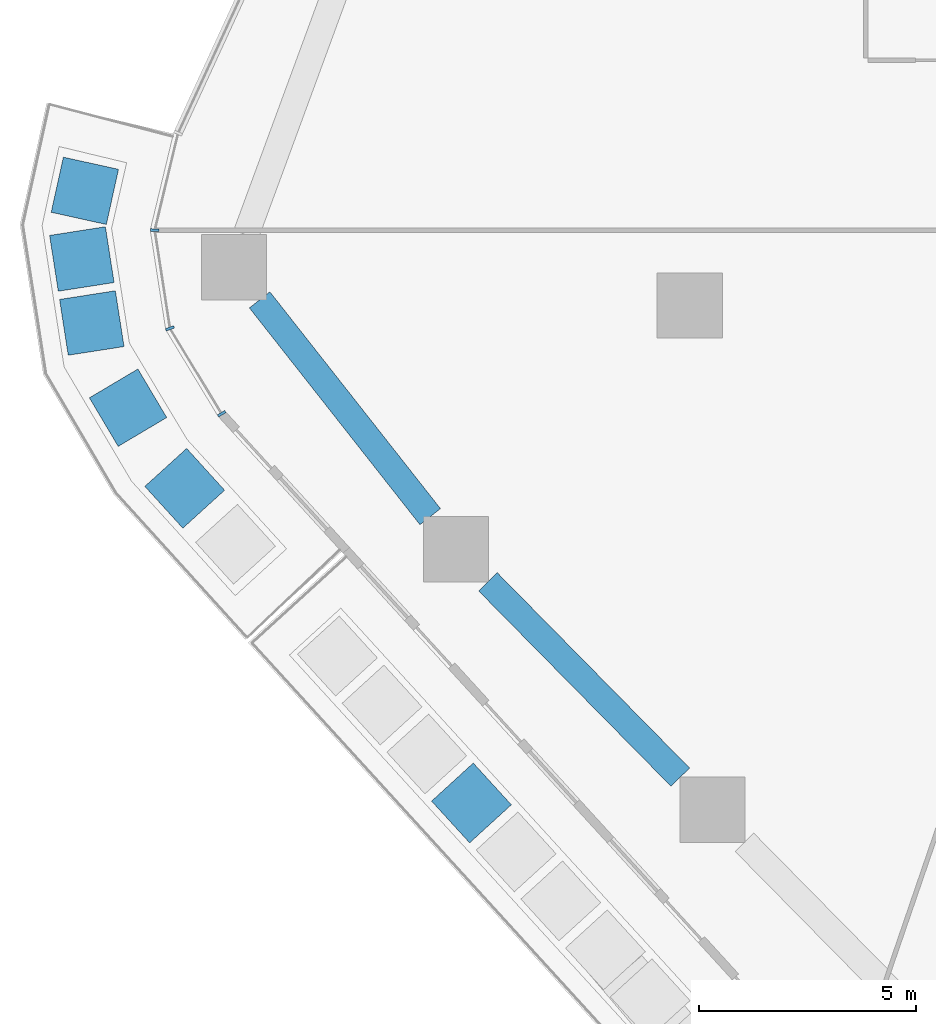
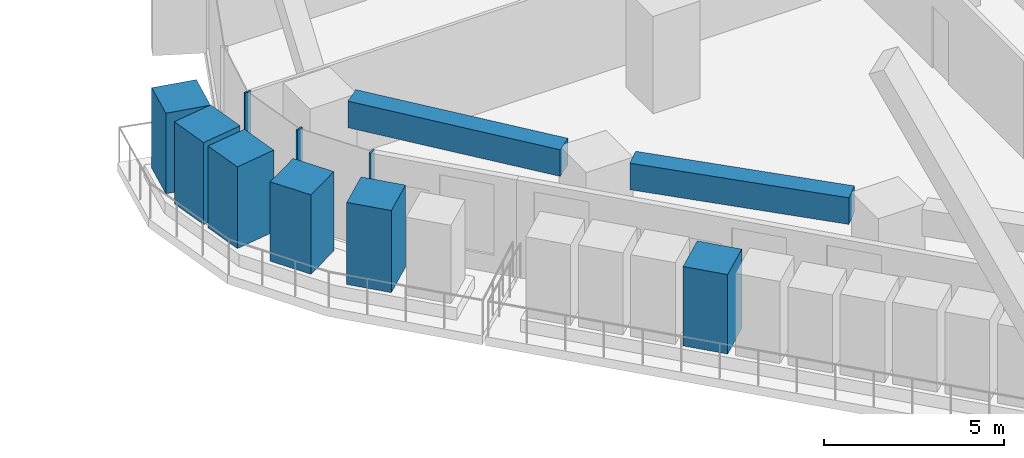
# One storey, part 3 of 26: 9 members, 2 beams, 1 element without a shape of its own.
"""IFC4 building model written with IfcOpenShell, lengths in metres."""

from ifc_helpers import new_model, si_unit, direction, frame, origin, origin_2d, place, context, subcontext, project, spatial, rectangle, extrude, material, layer, layer_set, material_profile, profile_set, type_object, element, aggregate, save


model = new_model("IFC4")

# Units and contexts
model_context = context("Model", 3, precision=1e-05, world=origin(), true_north=direction((0.0, 1.0)))
body_context = subcontext(model_context, "Body", "Model", "MODEL_VIEW")
ifc_project = project(units=[si_unit("LENGTHUNIT", "METRE"), si_unit("AREAUNIT", "SQUARE_METRE"), si_unit("VOLUMEUNIT", "CUBIC_METRE"), si_unit("PLANEANGLEUNIT", "RADIAN"), si_unit("MASSUNIT", "GRAM", prefix="KILO")], contexts=[model_context])

# Site, building, storey
site_placement = place(None, origin())
site = spatial("IfcSite", under=ifc_project, at=site_placement, CompositionType="ELEMENT")
building_placement = place(site_placement, origin())
building = spatial("IfcBuilding", under=site, at=building_placement, Name="Dongbaek Canopy Tower", CompositionType="ELEMENT")
storey_placement = place(building_placement, frame((0.0, 0.0, 73.60009765625)))
storey = spatial("IfcBuildingStorey", under=building, at=storey_placement, Name="L14", CompositionType="ELEMENT", Elevation=73.60009765625)

# Curtain wall, members
ifc_material_1 = material(Name="Aluminium 6063-T6 pale anodised", Category="aluminium")
ifc_layer = layer(ifc_material_1, 0.199951171875)
ifc_layer_set = layer_set([ifc_layer], Name="CW-1 unitised tower curtain wall")
curtain_wall_type = type_object("IfcCurtainWallType", Name="CW-1 unitised tower curtain wall", PredefinedType="NOTDEFINED", material=ifc_layer_set)
curtain_wall_placement = place(storey_placement, origin())
curtain_wall = element("IfcCurtainWall", 1, at=curtain_wall_placement, inside=storey, type_object=curtain_wall_type, Name="CW-1 curtain wall K3.1", PredefinedType="NOTDEFINED")
ifc_material_2 = material(Name="Aluminium 6063-T6 pale anodised", Category="aluminium")
ifc_material_profile_1 = material_profile(ifc_material_2, rectangle(XDim=0.199951171875, YDim=0.06005859375, at=origin_2d()), Name="CW-1 mullion 60 x 200")
ifc_profile_set_1 = profile_set([ifc_material_profile_1], Name="Aluminium 6063-T6 pale anodised")
member_type_1 = type_object("IfcMemberType", Name="CW-1 mullion 60 x 200", PredefinedType="MULLION", material=ifc_profile_set_1)
member_1_placement = place(storey_placement, frame((-39.31396484375, -7.268798828125, 0.0), z_axis=(0.0, 0.0, 1.0), x_axis=(-0.999160812503, 0.040959379368, 0.0)))
member_1 = element("IfcMember", 2, at=member_1_placement, type_object=member_type_1, Name="CW-1 mullion K3.1.2", PredefinedType="MULLION", context=body_context, shape_type="SweptSolid", body=[
    extrude(rectangle(XDim=0.199951171875, YDim=0.06005859375, at=origin_2d()), origin(), (0.0, 0.0, 1.0), 3.2998046875),
])
member_2_placement = place(storey_placement, frame((-38.962890625, -9.529052734375, 0.0), z_axis=(0.0, 0.0, 1.0), x_axis=(-0.939602897843, -0.342266554551, 0.0)))
member_2 = element("IfcMember", 3, at=member_2_placement, type_object=member_type_1, Name="CW-1 mullion K3.1.3", PredefinedType="MULLION", context=body_context, shape_type="SweptSolid", body=[
    extrude(rectangle(XDim=0.199951171875, YDim=0.06005859375, at=origin_2d()), origin(), (0.0, 0.0, 1.0), 3.2998046875),
])
member_3_placement = place(storey_placement, frame((-37.772705078125, -11.494140625, 0.0), z_axis=(0.0, 0.0, 1.0), x_axis=(-0.855398020163, -0.517971260884, 0.0)))
member_3 = element("IfcMember", 4, at=member_3_placement, type_object=member_type_1, Name="CW-1 mullion K3.1.4", PredefinedType="MULLION", context=body_context, shape_type="SweptSolid", body=[
    extrude(rectangle(XDim=0.199951171875, YDim=0.06005859375, at=origin_2d()), origin(), (0.0, 0.0, 1.0), 3.2998046875),
])
aggregate(curtain_wall, [member_1, member_2, member_3])

# Beams
ifc_material_3 = material(Name="Concrete C80", Category="concrete")
ifc_material_profile_2 = material_profile(ifc_material_3, rectangle(XDim=0.60009765625, YDim=0.89990234375, at=origin_2d()), Name="RC EDGE BEAM 600x900 C80")
ifc_profile_set_2 = profile_set([ifc_material_profile_2], Name="Concrete C80")
beam_type = type_object("IfcBeamType", Name="RC EDGE BEAM 600x900 C80", PredefinedType="BEAM", material=ifc_profile_set_2)
beam_1_placement = place(storey_placement, frame((-27.216552734375, -19.85791015625, 2.849853515625), z_axis=(-0.701687682569, 0.712484663787, 0.0), x_axis=(-0.712484663787, -0.701687682569, 0.0)))
element("IfcBeam", 5, at=beam_1_placement, inside=storey, type_object=beam_type, Name="EDGEBEAM:L14:06", PredefinedType="BEAM", context=body_context, shape_type="SweptSolid", body=[
    extrude(rectangle(XDim=0.60009765625, YDim=0.89990234375, at=origin_2d()), origin(), (0.0, 0.0, 1.0), 6.308837890625),
])
beam_2_placement = place(storey_placement, frame((-32.97216796875, -13.863037109375, 2.849853515625), z_axis=(-0.618386857787, 0.785873841094, 0.0), x_axis=(-0.785873841094, -0.618386857787, 0.0)))
element("IfcBeam", 6, at=beam_2_placement, inside=storey, type_object=beam_type, Name="EDGEBEAM:L14:07", PredefinedType="BEAM", context=body_context, shape_type="SweptSolid", body=[
    extrude(rectangle(XDim=0.60009765625, YDim=0.89990234375, at=origin_2d()), origin(), (0.0, 0.0, 1.0), 6.349609375),
])

# Members
ifc_material_4 = material(Name="Concrete C40/50 planter mass with planting", Category="concrete")
ifc_material_profile_3 = material_profile(ifc_material_4, rectangle(XDim=1.300048828125, YDim=1.300048828125, at=origin_2d()), Name="Terrace PLANTER shrub mass 1300 x 1300")
ifc_profile_set_3 = profile_set([ifc_material_profile_3], Name="Concrete C40/50 planter mass with planting")
member_type_2 = type_object("IfcMemberType", Name="Terrace PLANTER shrub mass 1300 x 1300", PredefinedType="USERDEFINED", material=ifc_profile_set_3)
member_4_placement = place(storey_placement, frame((-32.023193359375, -20.45166015625, 0.419921875), z_axis=(0.0, 0.0, 1.0), x_axis=(-0.738720005108, -0.674012428708, 0.0)))
element("IfcMember", 7, at=member_4_placement, inside=storey, type_object=member_type_2, Name="Planter shrubs L14 3.4", ObjectType="PLANTER", PredefinedType="USERDEFINED", context=body_context, shape_type="SweptSolid", body=[
    extrude(rectangle(XDim=1.300048828125, YDim=1.300048828125, at=origin_2d()), origin(), (0.0, 0.0, 1.0), 2.68994140625),
])
member_5_placement = place(storey_placement, frame((-40.920654296875, -6.363037109375, 0.419921875), z_axis=(0.0, 0.0, 1.0), x_axis=(-0.976482122807, 0.21559838552, 0.0)))
element("IfcMember", 8, at=member_5_placement, inside=storey, type_object=member_type_2, Name="Planter shrubs L14 7.1", ObjectType="PLANTER", PredefinedType="USERDEFINED", context=body_context, shape_type="SweptSolid", body=[
    extrude(rectangle(XDim=1.300048828125, YDim=1.300048828125, at=origin_2d()), origin(), (0.0, 0.0, 1.0), 2.72998046875),
])
member_6_placement = place(storey_placement, frame((-40.989990234375, -7.93212890625, 0.419921875), z_axis=(0.0, 0.0, 1.0), x_axis=(-0.988138001622, -0.153568518099, 0.0)))
element("IfcMember", 9, at=member_6_placement, inside=storey, type_object=member_type_2, Name="Planter shrubs L14 7.2", ObjectType="PLANTER", PredefinedType="USERDEFINED", context=body_context, shape_type="SweptSolid", body=[
    extrude(rectangle(XDim=1.300048828125, YDim=1.300048828125, at=origin_2d()), origin(), (0.0, 0.0, 1.0), 2.780029296875),
])
member_7_placement = place(storey_placement, frame((-40.760986328125, -9.405517578125, 0.419921875), z_axis=(0.0, 0.0, 1.0), x_axis=(-0.988138001622, -0.153568518099, 0.0)))
element("IfcMember", 10, at=member_7_placement, inside=storey, type_object=member_type_2, Name="Planter shrubs L14 7.3", ObjectType="PLANTER", PredefinedType="USERDEFINED", context=body_context, shape_type="SweptSolid", body=[
    extrude(rectangle(XDim=1.300048828125, YDim=1.300048828125, at=origin_2d()), origin(), (0.0, 0.0, 1.0), 2.77001953125),
])
member_8_placement = place(storey_placement, frame((-39.926513671875, -11.3544921875, 0.419921875), z_axis=(0.0, 0.0, 1.0), x_axis=(-0.859783398901, -0.510658894932, 0.0)))
element("IfcMember", 11, at=member_8_placement, inside=storey, type_object=member_type_2, Name="Planter shrubs L14 7.4", ObjectType="PLANTER", PredefinedType="USERDEFINED", context=body_context, shape_type="SweptSolid", body=[
    extrude(rectangle(XDim=1.300048828125, YDim=1.300048828125, at=origin_2d()), origin(), (0.0, 0.0, 1.0), 2.68994140625),
])
member_9_placement = place(storey_placement, frame((-38.6220703125, -13.210205078125, 0.419921875), z_axis=(0.0, 0.0, 1.0), x_axis=(-0.740275867096, -0.672303235598, 0.0)))
element("IfcMember", 12, at=member_9_placement, inside=storey, type_object=member_type_2, Name="Planter shrubs L14 7.5", ObjectType="PLANTER", PredefinedType="USERDEFINED", context=body_context, shape_type="SweptSolid", body=[
    extrude(rectangle(XDim=1.300048828125, YDim=1.300048828125, at=origin_2d()), origin(), (0.0, 0.0, 1.0), 2.780029296875),
])

save(model, "model.ifc")
